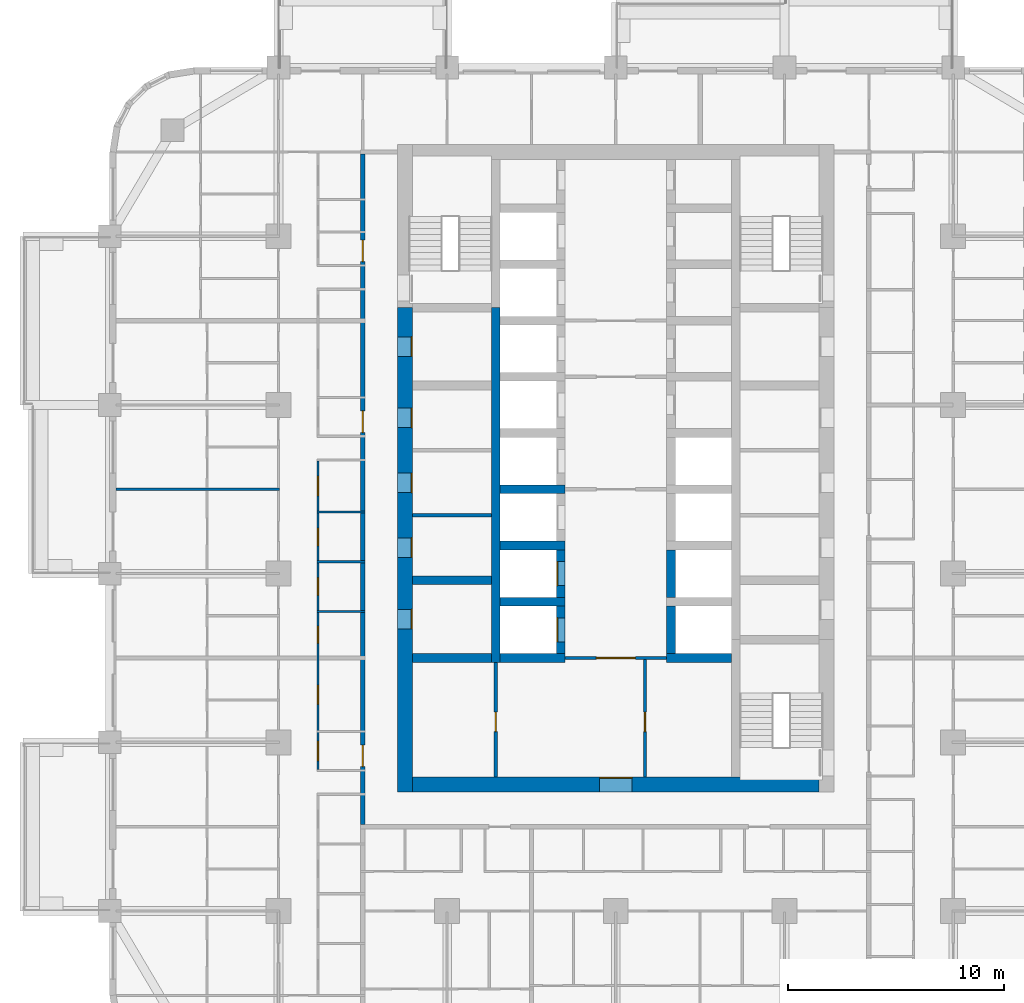
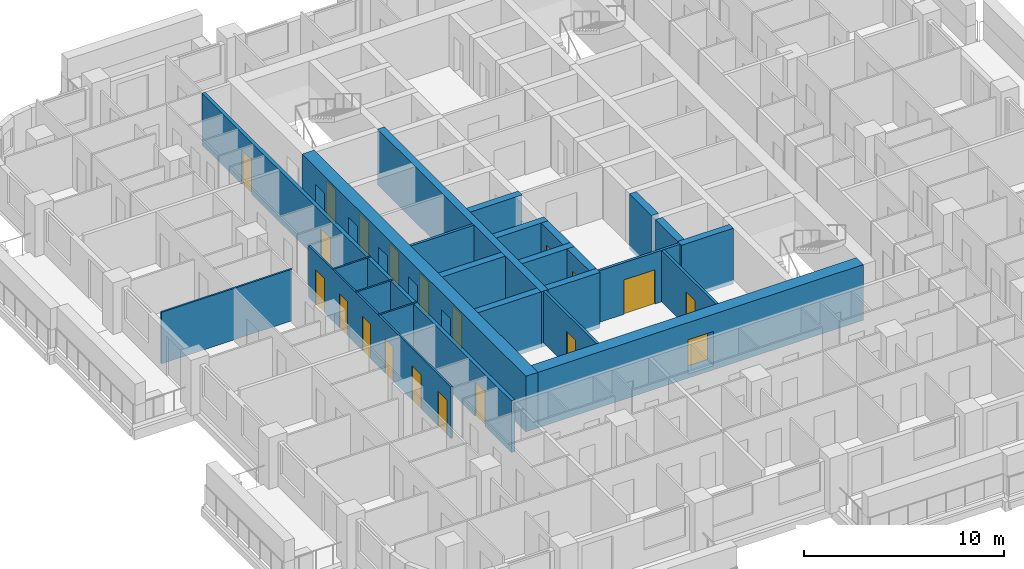
# One storey, part 6 of 18: 24 walls, 20 doors, 20 openings.
"""IFC4 building model written with IfcOpenShell, lengths in metres."""

from ifc_helpers import new_model, si_unit, direction, frame, frame_2d, origin, place, context, subcontext, project, spatial, rectangle, extrude, material, layer, layer_set, type_object, element, fill, save


model = new_model("IFC4")

# Units and contexts
model_context = context("Model", 3, precision=1e-05, world=origin(), true_north=direction((0.0, 1.0)))
body_context = subcontext(model_context, "Body", "Model", "MODEL_VIEW")
ifc_project = project(units=[si_unit("LENGTHUNIT", "METRE"), si_unit("AREAUNIT", "SQUARE_METRE"), si_unit("VOLUMEUNIT", "CUBIC_METRE"), si_unit("PLANEANGLEUNIT", "RADIAN"), si_unit("MASSUNIT", "GRAM", prefix="KILO")], contexts=[model_context])

# Site, building, storey
site_placement = place(None, origin())
site = spatial("IfcSite", under=ifc_project, at=site_placement, CompositionType="ELEMENT")
building_placement = place(site_placement, origin())
building = spatial("IfcBuilding", under=site, at=building_placement, Name="Ludao Terraces", CompositionType="ELEMENT")
storey_placement = place(building_placement, frame((0.0, 0.0, 33.10009765625)))
storey = spatial("IfcBuildingStorey", under=building, at=storey_placement, Name="L08", CompositionType="ELEMENT", Elevation=33.10009765625)

# Wall, openings, doors
ifc_material_1 = material(Name="Concrete C70", Category="concrete")
ifc_layer_1 = layer(ifc_material_1, 0.699951171875)
ifc_layer_set_1 = layer_set([ifc_layer_1], Name="Core wall 700 C70")
wall_type_1 = type_object("IfcWallType", Name="Core wall 700 C70", PredefinedType="SOLIDWALL", material=ifc_layer_set_1)
wall_1_placement = place(storey_placement, frame((75.25, 54.89990234375, -0.25), z_axis=(0.0, 0.0, 1.0), x_axis=(0.0, 1.0, 0.0)))
wall_1 = element("IfcWall", 1, at=wall_1_placement, inside=storey, type_object=wall_type_1, Name="Core wall L08 outer-W", PredefinedType="SOLIDWALL", context=body_context, shape_type="SweptSolid", body=[
    extrude(rectangle(XDim=22.400146484375, YDim=0.699951171875, at=frame_2d((11.2001953125, 0.0))), origin(), (0.0, 0.0, 1.0), 3.39990234375),
])
opening_1_placement = place(wall_1_placement, frame((7.550048828125, 0.0, 0.25)))
opening_1 = element("IfcOpeningElement", 2, at=opening_1_placement, cuts=wall_1, Name="Opening R02-077", PredefinedType="OPENING", context=body_context, shape_type="SweptSolid", body=[
    extrude(rectangle(XDim=0.89990234375, YDim=2.10009765625, at=frame_2d((0.449951171875, 1.050048828125))), frame((0.0, 0.35986328125, 0.0), z_axis=(0.0, -1.0, 0.0), x_axis=(1.0, 0.0, 0.0)), (0.0, 0.0, 1.0), 0.719970703125),
])
opening_2_placement = place(wall_1_placement, frame((10.85009765625, 0.0, 0.25)))
opening_2 = element("IfcOpeningElement", 3, at=opening_2_placement, cuts=wall_1, Name="Opening R02-086", PredefinedType="OPENING", context=body_context, shape_type="SweptSolid", body=[
    extrude(rectangle(XDim=0.89990234375, YDim=2.10009765625, at=frame_2d((0.449951171875, 1.050048828125))), frame((0.0, 0.35986328125, 0.0), z_axis=(0.0, -1.0, 0.0), x_axis=(1.0, 0.0, 0.0)), (0.0, 0.0, 1.0), 0.719970703125),
])
opening_3_placement = place(wall_1_placement, frame((13.85009765625, 0.0, 0.25)))
opening_3 = element("IfcOpeningElement", 4, at=opening_3_placement, cuts=wall_1, Name="Opening R02-098", PredefinedType="OPENING", context=body_context, shape_type="SweptSolid", body=[
    extrude(rectangle(XDim=0.89990234375, YDim=2.10009765625, at=frame_2d((0.449951171875, 1.050048828125))), frame((0.0, 0.35986328125, 0.0), z_axis=(0.0, -1.0, 0.0), x_axis=(1.0, 0.0, 0.0)), (0.0, 0.0, 1.0), 0.719970703125),
])
opening_4_placement = place(wall_1_placement, frame((16.85009765625, 0.0, 0.25)))
opening_4 = element("IfcOpeningElement", 5, at=opening_4_placement, cuts=wall_1, Name="Opening R02-108", PredefinedType="OPENING", context=body_context, shape_type="SweptSolid", body=[
    extrude(rectangle(XDim=0.89990234375, YDim=2.10009765625, at=frame_2d((0.449951171875, 1.050048828125))), frame((0.0, 0.35986328125, 0.0), z_axis=(0.0, -1.0, 0.0), x_axis=(1.0, 0.0, 0.0)), (0.0, 0.0, 1.0), 0.719970703125),
])
opening_5_placement = place(wall_1_placement, frame((20.14990234375, 0.0, 0.25)))
opening_5 = element("IfcOpeningElement", 6, at=opening_5_placement, cuts=wall_1, Name="Opening R02-120", PredefinedType="OPENING", context=body_context, shape_type="SweptSolid", body=[
    extrude(rectangle(XDim=0.89990234375, YDim=2.10009765625, at=frame_2d((0.449951171875, 1.050048828125))), frame((0.0, 0.35986328125, 0.0), z_axis=(0.0, -1.0, 0.0), x_axis=(1.0, 0.0, 0.0)), (0.0, 0.0, 1.0), 0.719970703125),
])
ifc_material_2 = material(Name="Steel Q235", Category="steel")
door_type_1 = type_object("IfcDoorType", Name="INT Riser door 900", OperationType="SINGLE_SWING_LEFT", PredefinedType="DOOR", material=ifc_material_2)
door_1_placement = place(opening_1_placement, origin())
door_1 = element("IfcDoor", 7, at=door_1_placement, inside=storey, type_object=door_type_1, Name="DOOR 077", OperationType="SINGLE_SWING_LEFT", OverallHeight=2.10009765625, OverallWidth=0.89990234375, PredefinedType="DOOR", context=body_context, shape_type="SweptSolid", body=[
    extrude(rectangle(XDim=0.89990234375, YDim=2.10009765625, at=frame_2d((0.449951171875, 1.050048828125))), frame((0.0, -0.28515625, 0.0), z_axis=(0.0, -1.0, 0.0), x_axis=(1.0, 0.0, 0.0)), (0.0, 0.0, 1.0), 0.050048828125),
])
fill(opening_1, door_1)
door_2_placement = place(opening_5_placement, origin())
door_2 = element("IfcDoor", 8, at=door_2_placement, inside=storey, type_object=door_type_1, Name="DOOR 120", OperationType="SINGLE_SWING_RIGHT", OverallHeight=2.10009765625, OverallWidth=0.89990234375, PredefinedType="DOOR", context=body_context, shape_type="SweptSolid", body=[
    extrude(rectangle(XDim=0.89990234375, YDim=2.10009765625, at=frame_2d((0.449951171875, 1.050048828125))), frame((0.0, -0.28515625, 0.0), z_axis=(0.0, -1.0, 0.0), x_axis=(1.0, 0.0, 0.0)), (0.0, 0.0, 1.0), 0.050048828125),
])
fill(opening_5, door_2)
ifc_material_3 = material(Name="Timber door leaf", Category="wood")
door_type_2 = type_object("IfcDoorType", Name="INT Room door 900", OperationType="SINGLE_SWING_LEFT", PredefinedType="DOOR", material=ifc_material_3)
door_3_placement = place(opening_2_placement, origin())
door_3 = element("IfcDoor", 9, at=door_3_placement, inside=storey, type_object=door_type_2, Name="DOOR 086", OperationType="SINGLE_SWING_RIGHT", OverallHeight=2.10009765625, OverallWidth=0.89990234375, PredefinedType="DOOR", context=body_context, shape_type="SweptSolid", body=[
    extrude(rectangle(XDim=0.89990234375, YDim=2.10009765625, at=frame_2d((0.449951171875, 1.050048828125))), frame((0.0, -0.28515625, 0.0), z_axis=(0.0, -1.0, 0.0), x_axis=(1.0, 0.0, 0.0)), (0.0, 0.0, 1.0), 0.050048828125),
])
fill(opening_2, door_3)
door_4_placement = place(opening_3_placement, origin())
door_4 = element("IfcDoor", 10, at=door_4_placement, inside=storey, type_object=door_type_2, Name="DOOR 098", OperationType="SINGLE_SWING_RIGHT", OverallHeight=2.10009765625, OverallWidth=0.89990234375, PredefinedType="DOOR", context=body_context, shape_type="SweptSolid", body=[
    extrude(rectangle(XDim=0.89990234375, YDim=2.10009765625, at=frame_2d((0.449951171875, 1.050048828125))), frame((0.0, -0.28515625, 0.0), z_axis=(0.0, -1.0, 0.0), x_axis=(1.0, 0.0, 0.0)), (0.0, 0.0, 1.0), 0.050048828125),
])
fill(opening_3, door_4)
door_5_placement = place(opening_4_placement, origin())
door_5 = element("IfcDoor", 11, at=door_5_placement, inside=storey, type_object=door_type_2, Name="DOOR 108", OperationType="SINGLE_SWING_LEFT", OverallHeight=2.10009765625, OverallWidth=0.89990234375, PredefinedType="DOOR", context=body_context, shape_type="SweptSolid", body=[
    extrude(rectangle(XDim=0.89990234375, YDim=2.10009765625, at=frame_2d((0.449951171875, 1.050048828125))), frame((0.0, -0.28515625, 0.0), z_axis=(0.0, -1.0, 0.0), x_axis=(1.0, 0.0, 0.0)), (0.0, 0.0, 1.0), 0.050048828125),
])
fill(opening_4, door_5)

# Wall, opening, door
wall_2_placement = place(storey_placement, frame((75.60009765625, 55.25, -0.25), z_axis=(0.0, 0.0, 1.0), x_axis=(1.0, 0.0, 0.0)))
wall_2 = element("IfcWall", 12, at=wall_2_placement, inside=storey, type_object=wall_type_1, Name="Core wall L08 outer-S", PredefinedType="SOLIDWALL", context=body_context, shape_type="SweptSolid", body=[
    extrude(rectangle(XDim=18.7998046875, YDim=0.699951171875, at=frame_2d((9.39990234375, 0.0))), origin(), (0.0, 0.0, 1.0), 3.39990234375),
])
opening_6_placement = place(wall_2_placement, frame((8.64990234375, 0.0, 0.25)))
opening_6 = element("IfcOpeningElement", 13, at=opening_6_placement, cuts=wall_2, Name="Opening R02-053", PredefinedType="OPENING", context=body_context, shape_type="SweptSolid", body=[
    extrude(rectangle(XDim=1.5, YDim=2.10009765625, at=frame_2d((0.75, 1.050048828125))), frame((0.0, 0.35986328125, 0.0), z_axis=(0.0, -1.0, 0.0), x_axis=(1.0, 0.0, 0.0)), (0.0, 0.0, 1.0), 0.719970703125),
])
door_type_3 = type_object("IfcDoorType", Name="INT Lobby door 1500", OperationType="DOUBLE_DOOR_SINGLE_SWING", PredefinedType="DOOR", material=ifc_material_2)
door_6_placement = place(opening_6_placement, origin())
door_6 = element("IfcDoor", 14, at=door_6_placement, inside=storey, type_object=door_type_3, Name="DOOR 053", OperationType="DOUBLE_DOOR_SINGLE_SWING", OverallHeight=2.10009765625, OverallWidth=1.5, PredefinedType="DOOR", context=body_context, shape_type="SweptSolid", body=[
    extrude(rectangle(XDim=1.5, YDim=2.10009765625, at=frame_2d((0.75, 1.050048828125))), frame((0.0, 0.3349609375, 0.0), z_axis=(0.0, -1.0, 0.0), x_axis=(1.0, 0.0, 0.0)), (0.0, 0.0, 1.0), 0.050048828125),
])
fill(opening_6, door_6)

ifc_material_4 = material(Name="Fire-rated gypsum plasterboard", Category="gypsum")
ifc_layer_2 = layer(ifc_material_4, 0.012451171875, Category="gypsum")
ifc_material_5 = material(Name="Mineral wool")
ifc_layer_3 = layer(ifc_material_5, 0.10009765625, Name="insulation")
ifc_layer_4 = layer(ifc_material_2, 0.02490234375, Name="stud")
ifc_layer_5 = layer(ifc_material_4, 0.012451171875, Category="gypsum")
ifc_layer_set_2 = layer_set([ifc_layer_2, ifc_layer_3, ifc_layer_4, ifc_layer_5], Name="INT Core partition 150")
wall_type_2 = type_object("IfcWallType", Name="INT Core partition 150", PredefinedType="PARTITIONING", material=ifc_layer_set_2)
wall_3_placement = place(storey_placement, frame((82.650146484375, 61.10009765625, 0.0), z_axis=(0.0, 0.0, 1.0), x_axis=(1.0, 0.0, 0.0)))
wall_3 = element("IfcWall", 15, at=wall_3_placement, inside=storey, type_object=wall_type_2, Name="PW-L08-PW032", PredefinedType="PARTITIONING", context=body_context, shape_type="SweptSolid", body=[
    extrude(rectangle(XDim=4.699951171875, YDim=0.14990234375, at=frame_2d((2.35009765625, 0.0))), origin(), (0.0, 0.0, 1.0), 3.14990234375),
])
opening_7_placement = place(wall_3_placement, frame((1.449951171875, 0.0, 0.0)))
opening_7 = element("IfcOpeningElement", 16, at=opening_7_placement, cuts=wall_3, Name="Opening R02-071", PredefinedType="OPENING", context=body_context, shape_type="SweptSolid", body=[
    extrude(rectangle(XDim=1.800048828125, YDim=2.10009765625, at=frame_2d((0.89990234375, 1.050048828125))), frame((0.0, 0.0849609375, 0.0), z_axis=(0.0, -1.0, 0.0), x_axis=(1.0, 0.0, 0.0)), (0.0, 0.0, 1.0), 0.169921875),
])
door_type_4 = type_object("IfcDoorType", Name="INT Fire lobby door 1800", OperationType="DOUBLE_DOOR_SINGLE_SWING", PredefinedType="DOOR", material=ifc_material_2)
door_7_placement = place(opening_7_placement, origin())
door_7 = element("IfcDoor", 17, at=door_7_placement, inside=storey, type_object=door_type_4, Name="DOOR 071", OperationType="DOUBLE_DOOR_SINGLE_SWING", OverallHeight=2.10009765625, OverallWidth=1.800048828125, PredefinedType="DOOR", context=body_context, shape_type="SweptSolid", body=[
    extrude(rectangle(XDim=1.800048828125, YDim=2.10009765625, at=frame_2d((0.89990234375, 1.050048828125))), frame((0.0, 0.02490234375, 0.0), z_axis=(0.0, -1.0, 0.0), x_axis=(1.0, 0.0, 0.0)), (0.0, 0.0, 1.0), 0.050048828125),
])
fill(opening_7, door_7)

# Wall
wall_4_placement = place(storey_placement, frame((75.60009765625, 67.699951171875, 0.0), z_axis=(0.0, 0.0, 1.0), x_axis=(1.0, 0.0, 0.0)))
element("IfcWall", 18, at=wall_4_placement, inside=storey, type_object=wall_type_2, Name="PW-L08-PW043", PredefinedType="PARTITIONING", context=body_context, shape_type="SweptSolid", body=[
    extrude(rectangle(XDim=3.64990234375, YDim=0.14990234375, at=frame_2d((1.824951171875, 0.0))), origin(), (0.0, 0.0, 1.0), 3.14990234375),
])

# Wall, opening, door
wall_5_placement = place(storey_placement, frame((79.449951171875, 55.60009765625, 0.0), z_axis=(0.0, 0.0, 1.0), x_axis=(0.0, 1.0, 0.0)))
wall_5 = element("IfcWall", 19, at=wall_5_placement, inside=storey, type_object=wall_type_2, Name="PW-L08-PW097", PredefinedType="PARTITIONING", context=body_context, shape_type="SweptSolid", body=[
    extrude(rectangle(XDim=5.300048828125, YDim=0.14990234375, at=frame_2d((2.64990234375, 0.0))), origin(), (0.0, 0.0, 1.0), 3.14990234375),
])
opening_8_placement = place(wall_5_placement, frame((2.10009765625, 0.0, 0.0)))
opening_8 = element("IfcOpeningElement", 20, at=opening_8_placement, cuts=wall_5, Name="Opening R02-061", PredefinedType="OPENING", context=body_context, shape_type="SweptSolid", body=[
    extrude(rectangle(XDim=0.89990234375, YDim=2.10009765625, at=frame_2d((0.449951171875, 1.050048828125))), frame((0.0, 0.0849609375, 0.0), z_axis=(0.0, -1.0, 0.0), x_axis=(1.0, 0.0, 0.0)), (0.0, 0.0, 1.0), 0.169921875),
])
door_8_placement = place(opening_8_placement, origin())
door_8 = element("IfcDoor", 21, at=door_8_placement, inside=storey, type_object=door_type_2, Name="DOOR 061", OperationType="SINGLE_SWING_LEFT", OverallHeight=2.10009765625, OverallWidth=0.89990234375, PredefinedType="DOOR", context=body_context, shape_type="SweptSolid", body=[
    extrude(rectangle(XDim=0.89990234375, YDim=2.10009765625, at=frame_2d((0.449951171875, 1.050048828125))), frame((0.0, 0.02490234375, 0.0), z_axis=(0.0, -1.0, 0.0), x_axis=(1.0, 0.0, 0.0)), (0.0, 0.0, 1.0), 0.050048828125),
])
fill(opening_8, door_8)

wall_6_placement = place(storey_placement, frame((86.35009765625, 55.60009765625, 0.0), z_axis=(0.0, 0.0, 1.0), x_axis=(0.0, 1.0, 0.0)))
wall_6 = element("IfcWall", 22, at=wall_6_placement, inside=storey, type_object=wall_type_2, Name="PW-L08-PW105", PredefinedType="PARTITIONING", context=body_context, shape_type="SweptSolid", body=[
    extrude(rectangle(XDim=5.425048828125, YDim=0.14990234375, at=frame_2d((2.71240234375, 0.0))), origin(), (0.0, 0.0, 1.0), 3.14990234375),
])
opening_9_placement = place(wall_6_placement, frame((2.10009765625, 0.0, 0.0)))
opening_9 = element("IfcOpeningElement", 23, at=opening_9_placement, cuts=wall_6, Name="Opening R02-062", PredefinedType="OPENING", context=body_context, shape_type="SweptSolid", body=[
    extrude(rectangle(XDim=0.89990234375, YDim=2.10009765625, at=frame_2d((0.449951171875, 1.050048828125))), frame((0.0, 0.0849609375, 0.0), z_axis=(0.0, -1.0, 0.0), x_axis=(1.0, 0.0, 0.0)), (0.0, 0.0, 1.0), 0.169921875),
])
door_9_placement = place(opening_9_placement, origin())
door_9 = element("IfcDoor", 24, at=door_9_placement, inside=storey, type_object=door_type_2, Name="DOOR 062", OperationType="SINGLE_SWING_RIGHT", OverallHeight=2.10009765625, OverallWidth=0.89990234375, PredefinedType="DOOR", context=body_context, shape_type="SweptSolid", body=[
    extrude(rectangle(XDim=0.89990234375, YDim=2.10009765625, at=frame_2d((0.449951171875, 1.050048828125))), frame((0.0, 0.02490234375, 0.0), z_axis=(0.0, -1.0, 0.0), x_axis=(1.0, 0.0, 0.0)), (0.0, 0.0, 1.0), 0.050048828125),
])
fill(opening_9, door_9)

# Wall, openings, doors
ifc_material_6 = material(Name="Autoclaved aerated concrete block B06 A3.5", Category="concrete")
ifc_layer_6 = layer(ifc_material_6, 0.199951171875)
ifc_layer_set_3 = layer_set([ifc_layer_6], Name="INT Entrance wall 200")
wall_type_3 = type_object("IfcWallType", Name="INT Entrance wall 200", PredefinedType="PARTITIONING", material=ifc_layer_set_3)
wall_7_placement = place(storey_placement, frame((73.300048828125, 53.400146484375, 0.0), z_axis=(0.0, 0.0, 1.0), x_axis=(0.0, 1.0, 0.0)))
wall_7 = element("IfcWall", 25, at=wall_7_placement, inside=storey, type_object=wall_type_3, Name="PW-L08-PW089", PredefinedType="PARTITIONING", context=body_context, shape_type="SweptSolid", body=[
    extrude(rectangle(XDim=31.0, YDim=0.199951171875, at=frame_2d((15.5, 0.0))), origin(), (0.0, 0.0, 1.0), 3.14990234375),
])
opening_10_placement = place(wall_7_placement, frame((2.675048828125, 0.0, 0.0)))
opening_10 = element("IfcOpeningElement", 26, at=opening_10_placement, cuts=wall_7, Name="Opening R02-058", PredefinedType="OPENING", context=body_context, shape_type="SweptSolid", body=[
    extrude(rectangle(XDim=1.0, YDim=2.10009765625, at=frame_2d((0.5, 1.050048828125))), frame((0.0, 0.10986328125, 0.0), z_axis=(0.0, -1.0, 0.0), x_axis=(1.0, 0.0, 0.0)), (0.0, 0.0, 1.0), 0.219970703125),
])
opening_11_placement = place(wall_7_placement, frame((18.125, 0.0, 0.0)))
opening_11 = element("IfcOpeningElement", 27, at=opening_11_placement, cuts=wall_7, Name="Opening R02-107", PredefinedType="OPENING", context=body_context, shape_type="SweptSolid", body=[
    extrude(rectangle(XDim=1.0, YDim=2.10009765625, at=frame_2d((0.5, 1.050048828125))), frame((0.0, 0.10986328125, 0.0), z_axis=(0.0, -1.0, 0.0), x_axis=(1.0, 0.0, 0.0)), (0.0, 0.0, 1.0), 0.219970703125),
])
opening_12_placement = place(wall_7_placement, frame((26.02490234375, 0.0, 0.0)))
opening_12 = element("IfcOpeningElement", 28, at=opening_12_placement, cuts=wall_7, Name="Opening R02-140", PredefinedType="OPENING", context=body_context, shape_type="SweptSolid", body=[
    extrude(rectangle(XDim=1.0, YDim=2.10009765625, at=frame_2d((0.5, 1.050048828125))), frame((0.0, 0.10986328125, 0.0), z_axis=(0.0, -1.0, 0.0), x_axis=(1.0, 0.0, 0.0)), (0.0, 0.0, 1.0), 0.219970703125),
])
door_type_5 = type_object("IfcDoorType", Name="INT Flat entrance door 1000", OperationType="SINGLE_SWING_LEFT", PredefinedType="DOOR", material=ifc_material_2)
door_10_placement = place(opening_10_placement, origin())
door_10 = element("IfcDoor", 29, at=door_10_placement, inside=storey, type_object=door_type_5, Name="DOOR 058", OperationType="SINGLE_SWING_RIGHT", OverallHeight=2.10009765625, OverallWidth=1.0, PredefinedType="DOOR", context=body_context, shape_type="SweptSolid", body=[
    extrude(rectangle(XDim=1.0, YDim=2.10009765625, at=frame_2d((0.5, 1.050048828125))), frame((0.0, 0.02490234375, 0.0), z_axis=(0.0, -1.0, 0.0), x_axis=(1.0, 0.0, 0.0)), (0.0, 0.0, 1.0), 0.050048828125),
])
fill(opening_10, door_10)
door_11_placement = place(opening_11_placement, origin())
door_11 = element("IfcDoor", 30, at=door_11_placement, inside=storey, type_object=door_type_5, Name="DOOR 107", OperationType="SINGLE_SWING_RIGHT", OverallHeight=2.10009765625, OverallWidth=1.0, PredefinedType="DOOR", context=body_context, shape_type="SweptSolid", body=[
    extrude(rectangle(XDim=1.0, YDim=2.10009765625, at=frame_2d((0.5, 1.050048828125))), frame((0.0, 0.02490234375, 0.0), z_axis=(0.0, -1.0, 0.0), x_axis=(1.0, 0.0, 0.0)), (0.0, 0.0, 1.0), 0.050048828125),
])
fill(opening_11, door_11)
door_12_placement = place(opening_12_placement, origin())
door_12 = element("IfcDoor", 31, at=door_12_placement, inside=storey, type_object=door_type_5, Name="DOOR 140", OperationType="SINGLE_SWING_RIGHT", OverallHeight=2.10009765625, OverallWidth=1.0, PredefinedType="DOOR", context=body_context, shape_type="SweptSolid", body=[
    extrude(rectangle(XDim=1.0, YDim=2.10009765625, at=frame_2d((0.5, 1.050048828125))), frame((0.0, 0.02490234375, 0.0), z_axis=(0.0, -1.0, 0.0), x_axis=(1.0, 0.0, 0.0)), (0.0, 0.0, 1.0), 0.050048828125),
])
fill(opening_12, door_12)

# Walls
ifc_material_7 = material(Name="Gypsum plasterboard", Category="gypsum")
ifc_layer_7 = layer(ifc_material_7, 0.012451171875, Category="gypsum")
ifc_layer_8 = layer(ifc_material_5, 0.06005859375, Name="insulation")
ifc_layer_9 = layer(ifc_material_2, 0.014892578125, Name="stud")
ifc_layer_10 = layer(ifc_material_7, 0.012451171875, Category="gypsum")
ifc_layer_set_4 = layer_set([ifc_layer_7, ifc_layer_8, ifc_layer_9, ifc_layer_10], Name="INT Partition 100")
wall_type_4 = type_object("IfcWallType", Name="INT Partition 100", PredefinedType="PARTITIONING", material=ifc_layer_set_4)
for number, where, z_axis, x_axis, name in (
    (32, (71.18017578125, 63.25, 0.0), (0.0, 0.0, 1.0), (1.0, 0.0, 0.0), "PW-L08-PW036"),
    (33, (71.18017578125, 65.550048828125, 0.0), (0.0, 0.0, 1.0), (1.0, 0.0, 0.0), "PW-L08-PW041"),
    (34, (71.18017578125, 67.85009765625, 0.0), (0.0, 0.0, 1.0), (1.0, 0.0, 0.0), "PW-L08-PW045"),
):
    element("IfcWall", number, at=place(storey_placement, frame(where, z_axis=z_axis, x_axis=x_axis)), inside=storey, type_object=wall_type_4, Name=name, PredefinedType="PARTITIONING", context=body_context, shape_type="SweptSolid", body=[
        extrude(rectangle(XDim=2.219970703125, YDim=0.10009765625, at=frame_2d((1.10986328125, 0.0))), origin(), (0.0, 0.0, 1.0), 3.14990234375),
    ])
wall_8_placement = place(storey_placement, frame((61.900146484375, 68.89990234375, 0.0), z_axis=(0.0, 0.0, 1.0), x_axis=(1.0, 0.0, 0.0)))
element("IfcWall", 35, at=wall_8_placement, inside=storey, type_object=wall_type_4, Name="PW-L08-PW046", PredefinedType="PARTITIONING", context=body_context, shape_type="SweptSolid", body=[
    extrude(rectangle(XDim=7.550048828125, YDim=0.10009765625, at=frame_2d((3.77490234375, 0.0))), origin(), (0.0, 0.0, 1.0), 3.14990234375),
])

# Wall, openings, doors
wall_9_placement = place(storey_placement, frame((71.22998046875, 55.9501953125, 0.0), z_axis=(0.0, 0.0, 1.0), x_axis=(0.0, 1.0, 0.0)))
wall_9 = element("IfcWall", 36, at=wall_9_placement, inside=storey, type_object=wall_type_4, Name="PW-L08-PW085", PredefinedType="PARTITIONING", context=body_context, shape_type="SweptSolid", body=[
    extrude(rectangle(XDim=14.25, YDim=0.10009765625, at=frame_2d((7.125, 0.0))), origin(), (0.0, 0.0, 1.0), 3.14990234375),
])
opening_13_placement = place(wall_9_placement, frame((0.39990234375, 0.0, 0.0)))
opening_13 = element("IfcOpeningElement", 37, at=opening_13_placement, cuts=wall_9, Name="Opening R02-059", PredefinedType="OPENING", context=body_context, shape_type="SweptSolid", body=[
    extrude(rectangle(XDim=0.89990234375, YDim=2.10009765625, at=frame_2d((0.449951171875, 1.050048828125))), frame((0.0, 0.06005859375, 0.0), z_axis=(0.0, -1.0, 0.0), x_axis=(1.0, 0.0, 0.0)), (0.0, 0.0, 1.0), 0.1201171875),
])
opening_14_placement = place(wall_9_placement, frame((3.0, 0.0, 0.0)))
opening_14 = element("IfcOpeningElement", 38, at=opening_14_placement, cuts=wall_9, Name="Opening R02-065", PredefinedType="OPENING", context=body_context, shape_type="SweptSolid", body=[
    extrude(rectangle(XDim=0.89990234375, YDim=2.10009765625, at=frame_2d((0.449951171875, 1.050048828125))), frame((0.0, 0.06005859375, 0.0), z_axis=(0.0, -1.0, 0.0), x_axis=(1.0, 0.0, 0.0)), (0.0, 0.0, 1.0), 0.1201171875),
])
opening_15_placement = place(wall_9_placement, frame((5.824951171875, 0.0, 0.0)))
opening_15 = element("IfcOpeningElement", 39, at=opening_15_placement, cuts=wall_9, Name="Opening R02-074", PredefinedType="OPENING", context=body_context, shape_type="SweptSolid", body=[
    extrude(rectangle(XDim=0.800048828125, YDim=2.10009765625, at=frame_2d((0.39990234375, 1.050048828125))), frame((0.0, 0.06005859375, 0.0), z_axis=(0.0, -1.0, 0.0), x_axis=(1.0, 0.0, 0.0)), (0.0, 0.0, 1.0), 0.1201171875),
])
opening_16_placement = place(wall_9_placement, frame((8.0498046875, 0.0, 0.0)))
opening_16 = element("IfcOpeningElement", 40, at=opening_16_placement, cuts=wall_9, Name="Opening R02-083", PredefinedType="OPENING", context=body_context, shape_type="SweptSolid", body=[
    extrude(rectangle(XDim=0.800048828125, YDim=2.10009765625, at=frame_2d((0.39990234375, 1.050048828125))), frame((0.0, 0.06005859375, 0.0), z_axis=(0.0, -1.0, 0.0), x_axis=(1.0, 0.0, 0.0)), (0.0, 0.0, 1.0), 0.1201171875),
])
opening_17_placement = place(wall_9_placement, frame((10.349853515625, 0.0, 0.0)))
opening_17 = element("IfcOpeningElement", 41, at=opening_17_placement, cuts=wall_9, Name="Opening R02-088", PredefinedType="OPENING", context=body_context, shape_type="SweptSolid", body=[
    extrude(rectangle(XDim=0.800048828125, YDim=2.10009765625, at=frame_2d((0.39990234375, 1.050048828125))), frame((0.0, 0.06005859375, 0.0), z_axis=(0.0, -1.0, 0.0), x_axis=(1.0, 0.0, 0.0)), (0.0, 0.0, 1.0), 0.1201171875),
])
opening_18_placement = place(wall_9_placement, frame((12.64990234375, 0.0, 0.0)))
opening_18 = element("IfcOpeningElement", 42, at=opening_18_placement, cuts=wall_9, Name="Opening R02-097", PredefinedType="OPENING", context=body_context, shape_type="SweptSolid", body=[
    extrude(rectangle(XDim=0.89990234375, YDim=2.10009765625, at=frame_2d((0.449951171875, 1.050048828125))), frame((0.0, 0.06005859375, 0.0), z_axis=(0.0, -1.0, 0.0), x_axis=(1.0, 0.0, 0.0)), (0.0, 0.0, 1.0), 0.1201171875),
])
door_type_6 = type_object("IfcDoorType", Name="INT Bathroom door 900", OperationType="SINGLE_SWING_LEFT", PredefinedType="DOOR", material=ifc_material_3)
door_13_placement = place(opening_13_placement, origin())
door_13 = element("IfcDoor", 43, at=door_13_placement, inside=storey, type_object=door_type_6, Name="DOOR 059", OperationType="SINGLE_SWING_RIGHT", OverallHeight=2.10009765625, OverallWidth=0.89990234375, PredefinedType="DOOR", context=body_context, shape_type="SweptSolid", body=[
    extrude(rectangle(XDim=0.89990234375, YDim=2.10009765625, at=frame_2d((0.449951171875, 1.050048828125))), frame((0.0, 0.02490234375, 0.0), z_axis=(0.0, -1.0, 0.0), x_axis=(1.0, 0.0, 0.0)), (0.0, 0.0, 1.0), 0.050048828125),
])
fill(opening_13, door_13)
door_14_placement = place(opening_18_placement, origin())
door_14 = element("IfcDoor", 44, at=door_14_placement, inside=storey, type_object=door_type_6, Name="DOOR 097", OperationType="SINGLE_SWING_RIGHT", OverallHeight=2.10009765625, OverallWidth=0.89990234375, PredefinedType="DOOR", context=body_context, shape_type="SweptSolid", body=[
    extrude(rectangle(XDim=0.89990234375, YDim=2.10009765625, at=frame_2d((0.449951171875, 1.050048828125))), frame((0.0, 0.02490234375, 0.0), z_axis=(0.0, -1.0, 0.0), x_axis=(1.0, 0.0, 0.0)), (0.0, 0.0, 1.0), 0.050048828125),
])
fill(opening_18, door_14)
door_15_placement = place(opening_14_placement, origin())
door_15 = element("IfcDoor", 45, at=door_15_placement, inside=storey, type_object=door_type_2, Name="DOOR 065", OperationType="SINGLE_SWING_LEFT", OverallHeight=2.10009765625, OverallWidth=0.89990234375, PredefinedType="DOOR", context=body_context, shape_type="SweptSolid", body=[
    extrude(rectangle(XDim=0.89990234375, YDim=2.10009765625, at=frame_2d((0.449951171875, 1.050048828125))), frame((0.0, 0.02490234375, 0.0), z_axis=(0.0, -1.0, 0.0), x_axis=(1.0, 0.0, 0.0)), (0.0, 0.0, 1.0), 0.050048828125),
])
fill(opening_14, door_15)
door_type_7 = type_object("IfcDoorType", Name="INT Store door 800", OperationType="SINGLE_SWING_LEFT", PredefinedType="DOOR", material=ifc_material_3)
door_16_placement = place(opening_15_placement, origin())
door_16 = element("IfcDoor", 46, at=door_16_placement, inside=storey, type_object=door_type_7, Name="DOOR 074", OperationType="SINGLE_SWING_RIGHT", OverallHeight=2.10009765625, OverallWidth=0.800048828125, PredefinedType="DOOR", context=body_context, shape_type="SweptSolid", body=[
    extrude(rectangle(XDim=0.800048828125, YDim=2.10009765625, at=frame_2d((0.39990234375, 1.050048828125))), frame((0.0, 0.02490234375, 0.0), z_axis=(0.0, -1.0, 0.0), x_axis=(1.0, 0.0, 0.0)), (0.0, 0.0, 1.0), 0.050048828125),
])
fill(opening_15, door_16)
door_17_placement = place(opening_16_placement, origin())
door_17 = element("IfcDoor", 47, at=door_17_placement, inside=storey, type_object=door_type_7, Name="DOOR 083", OperationType="SINGLE_SWING_LEFT", OverallHeight=2.10009765625, OverallWidth=0.800048828125, PredefinedType="DOOR", context=body_context, shape_type="SweptSolid", body=[
    extrude(rectangle(XDim=0.800048828125, YDim=2.10009765625, at=frame_2d((0.39990234375, 1.050048828125))), frame((0.0, 0.02490234375, 0.0), z_axis=(0.0, -1.0, 0.0), x_axis=(1.0, 0.0, 0.0)), (0.0, 0.0, 1.0), 0.050048828125),
])
fill(opening_16, door_17)
door_18_placement = place(opening_17_placement, origin())
door_18 = element("IfcDoor", 48, at=door_18_placement, inside=storey, type_object=door_type_7, Name="DOOR 088", OperationType="SINGLE_SWING_RIGHT", OverallHeight=2.10009765625, OverallWidth=0.800048828125, PredefinedType="DOOR", context=body_context, shape_type="SweptSolid", body=[
    extrude(rectangle(XDim=0.800048828125, YDim=2.10009765625, at=frame_2d((0.39990234375, 1.050048828125))), frame((0.0, 0.02490234375, 0.0), z_axis=(0.0, -1.0, 0.0), x_axis=(1.0, 0.0, 0.0)), (0.0, 0.0, 1.0), 0.050048828125),
])
fill(opening_17, door_18)

# Walls
ifc_material_8 = material(Name="Concrete C60", Category="concrete")
ifc_layer_11 = layer(ifc_material_8, 0.39990234375)
ifc_layer_set_5 = layer_set([ifc_layer_11], Name="Shaft wall 400 C60")
wall_type_5 = type_object("IfcWallType", Name="Shaft wall 400 C60", PredefinedType="SOLIDWALL", material=ifc_layer_set_5)
wall_10_placement = place(storey_placement, frame((79.449951171875, 60.89990234375, -0.25), z_axis=(0.0, 0.0, 1.0), x_axis=(0.0, 1.0, 0.0)))
element("IfcWall", 49, at=wall_10_placement, inside=storey, type_object=wall_type_5, Name="Core wall L08 back-W", PredefinedType="SOLIDWALL", context=body_context, shape_type="SweptSolid", body=[
    extrude(rectangle(XDim=16.400146484375, YDim=0.39990234375, at=frame_2d((8.2001953125, 0.0))), origin(), (0.0, 0.0, 1.0), 3.39990234375),
])
wall_11_placement = place(storey_placement, frame((79.64990234375, 61.10009765625, -0.25), z_axis=(0.0, 0.0, 1.0), x_axis=(1.0, 0.0, 0.0)))
element("IfcWall", 50, at=wall_11_placement, inside=storey, type_object=wall_type_5, Name="Core wall L08 div-W1", PredefinedType="SOLIDWALL", context=body_context, shape_type="SweptSolid", body=[
    extrude(rectangle(XDim=3.0, YDim=0.39990234375, at=frame_2d((1.5, 0.0))), origin(), (0.0, 0.0, 1.0), 3.39990234375),
])

# Wall, opening, door
wall_12_placement = place(storey_placement, frame((82.449951171875, 61.300048828125, -0.25), z_axis=(0.0, 0.0, 1.0), x_axis=(0.0, 1.0, 0.0)))
wall_12 = element("IfcWall", 51, at=wall_12_placement, inside=storey, type_object=wall_type_5, Name="Core wall L08 front-W1", PredefinedType="SOLIDWALL", context=body_context, shape_type="SweptSolid", body=[
    extrude(rectangle(XDim=2.199951171875, YDim=0.39990234375, at=frame_2d((1.10009765625, 0.0))), origin(), (0.0, 0.0, 1.0), 3.39990234375),
])
opening_19_placement = place(wall_12_placement, frame((0.550048828125, 0.0, 0.25)))
opening_19 = element("IfcOpeningElement", 52, at=opening_19_placement, cuts=wall_12, Name="Opening LD-LA1", PredefinedType="OPENING", context=body_context, shape_type="SweptSolid", body=[
    extrude(rectangle(XDim=1.10009765625, YDim=2.10009765625, at=frame_2d((0.550048828125, 1.050048828125))), frame((0.0, 0.2099609375, 0.0), z_axis=(0.0, -1.0, 0.0), x_axis=(1.0, 0.0, 0.0)), (0.0, 0.0, 1.0), 0.419921875),
])
ifc_material_9 = material(Name="Stainless steel 304", Category="steel")
door_type_8 = type_object("IfcDoorType", Name="INT Lift landing door 1100", OperationType="SLIDING_TO_LEFT", PredefinedType="DOOR", material=ifc_material_9)
door_19_placement = place(opening_19_placement, origin())
door_19 = element("IfcDoor", 53, at=door_19_placement, inside=storey, type_object=door_type_8, Name="LANDING DOOR LA1 L08", OperationType="SLIDING_TO_RIGHT", OverallHeight=2.10009765625, OverallWidth=1.10009765625, PredefinedType="DOOR", context=body_context, shape_type="SweptSolid", body=[
    extrude(rectangle(XDim=1.10009765625, YDim=2.10009765625, at=frame_2d((0.550048828125, 1.050048828125))), frame((0.0, 0.18505859375, 0.0), z_axis=(0.0, -1.0, 0.0), x_axis=(1.0, 0.0, 0.0)), (0.0, 0.0, 1.0), 0.050048828125),
])
fill(opening_19, door_19)

# Wall
wall_13_placement = place(storey_placement, frame((79.64990234375, 63.699951171875, -0.25), z_axis=(0.0, 0.0, 1.0), x_axis=(1.0, 0.0, 0.0)))
element("IfcWall", 54, at=wall_13_placement, inside=storey, type_object=wall_type_5, Name="Core wall L08 div-W2", PredefinedType="SOLIDWALL", context=body_context, shape_type="SweptSolid", body=[
    extrude(rectangle(XDim=3.0, YDim=0.39990234375, at=frame_2d((1.5, 0.0))), origin(), (0.0, 0.0, 1.0), 3.39990234375),
])

# Wall, opening, door
wall_14_placement = place(storey_placement, frame((82.449951171875, 63.89990234375, -0.25), z_axis=(0.0, 0.0, 1.0), x_axis=(0.0, 1.0, 0.0)))
wall_14 = element("IfcWall", 55, at=wall_14_placement, inside=storey, type_object=wall_type_5, Name="Core wall L08 front-W2", PredefinedType="SOLIDWALL", context=body_context, shape_type="SweptSolid", body=[
    extrude(rectangle(XDim=2.2001953125, YDim=0.39990234375, at=frame_2d((1.10009765625, 0.0))), origin(), (0.0, 0.0, 1.0), 3.39990234375),
])
opening_20_placement = place(wall_14_placement, frame((0.550048828125, 0.0, 0.25)))
opening_20 = element("IfcOpeningElement", 56, at=opening_20_placement, cuts=wall_14, Name="Opening LD-LA2", PredefinedType="OPENING", context=body_context, shape_type="SweptSolid", body=[
    extrude(rectangle(XDim=1.10009765625, YDim=2.10009765625, at=frame_2d((0.550048828125, 1.050048828125))), frame((0.0, 0.2099609375, 0.0), z_axis=(0.0, -1.0, 0.0), x_axis=(1.0, 0.0, 0.0)), (0.0, 0.0, 1.0), 0.419921875),
])
door_20_placement = place(opening_20_placement, origin())
door_20 = element("IfcDoor", 57, at=door_20_placement, inside=storey, type_object=door_type_8, Name="LANDING DOOR LA2 L08", OperationType="SLIDING_TO_RIGHT", OverallHeight=2.10009765625, OverallWidth=1.10009765625, PredefinedType="DOOR", context=body_context, shape_type="SweptSolid", body=[
    extrude(rectangle(XDim=1.10009765625, YDim=2.10009765625, at=frame_2d((0.550048828125, 1.050048828125))), frame((0.0, 0.18505859375, 0.0), z_axis=(0.0, -1.0, 0.0), x_axis=(1.0, 0.0, 0.0)), (0.0, 0.0, 1.0), 0.050048828125),
])
fill(opening_20, door_20)

# Walls
for number, where, z_axis, x_axis, name in (
    (58, (79.64990234375, 66.300048828125, -0.25), (0.0, 0.0, 1.0), (1.0, 0.0, 0.0), "Core wall L08 div-W3"),
    (59, (79.64990234375, 68.89990234375, -0.25), (0.0, 0.0, 1.0), (1.0, 0.0, 0.0), "Core wall L08 div-W4"),
    (60, (87.35009765625, 61.10009765625, -0.25), (0.0, 0.0, 1.0), (1.0, 0.0, 0.0), "Core wall L08 div-E1"),
):
    element("IfcWall", number, at=place(storey_placement, frame(where, z_axis=z_axis, x_axis=x_axis)), inside=storey, type_object=wall_type_5, Name=name, PredefinedType="SOLIDWALL", context=body_context, shape_type="SweptSolid", body=[
        extrude(rectangle(XDim=3.0, YDim=0.39990234375, at=frame_2d((1.5, 0.0))), origin(), (0.0, 0.0, 1.0), 3.39990234375),
    ])
wall_15_placement = place(storey_placement, frame((87.550048828125, 61.300048828125, -0.25), z_axis=(0.0, 0.0, 1.0), x_axis=(0.0, 1.0, 0.0)))
element("IfcWall", 61, at=wall_15_placement, inside=storey, type_object=wall_type_5, Name="Core wall L08 front-E1", PredefinedType="SOLIDWALL", context=body_context, shape_type="SweptSolid", body=[
    extrude(rectangle(XDim=2.199951171875, YDim=0.39990234375, at=frame_2d((1.10009765625, 0.0))), origin(), (0.0, 0.0, 1.0), 3.39990234375),
])
wall_16_placement = place(storey_placement, frame((87.550048828125, 63.89990234375, -0.25), z_axis=(0.0, 0.0, 1.0), x_axis=(0.0, 1.0, 0.0)))
element("IfcWall", 62, at=wall_16_placement, inside=storey, type_object=wall_type_5, Name="Core wall L08 front-E2", PredefinedType="SOLIDWALL", context=body_context, shape_type="SweptSolid", body=[
    extrude(rectangle(XDim=2.2001953125, YDim=0.39990234375, at=frame_2d((1.10009765625, 0.0))), origin(), (0.0, 0.0, 1.0), 3.39990234375),
])
for number, where, z_axis, x_axis, name in (
    (63, (75.60009765625, 61.10009765625, -0.25), (0.0, 0.0, 1.0), (1.0, 0.0, 0.0), "Core wall L08 hall-W"),
    (64, (75.60009765625, 64.699951171875, -0.25), (0.0, 0.0, 1.0), (1.0, 0.0, 0.0), "Core wall L08 riser-a-W"),
):
    element("IfcWall", number, at=place(storey_placement, frame(where, z_axis=z_axis, x_axis=x_axis)), inside=storey, type_object=wall_type_5, Name=name, PredefinedType="SOLIDWALL", context=body_context, shape_type="SweptSolid", body=[
        extrude(rectangle(XDim=3.64990234375, YDim=0.39990234375, at=frame_2d((1.824951171875, 0.0))), origin(), (0.0, 0.0, 1.0), 3.39990234375),
    ])

save(model, "model.ifc")
